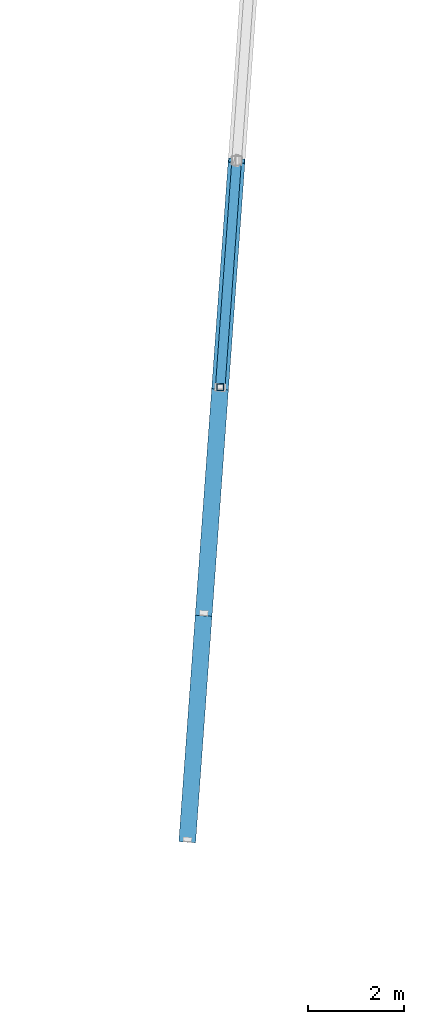
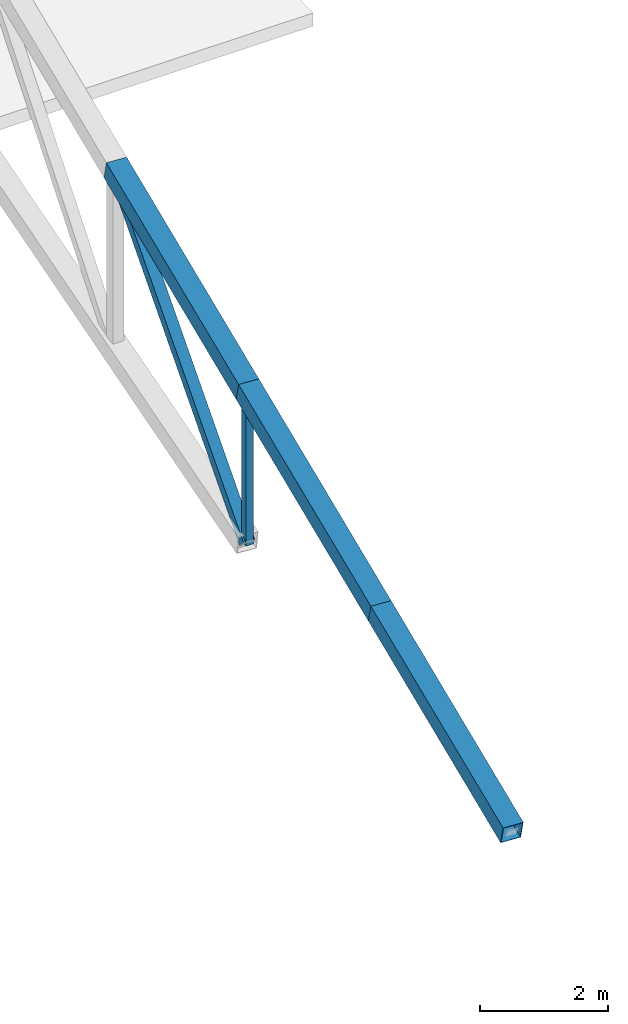
# One storey, part 73 of 188: 5 members.
"""IFC4 building model written with IfcOpenShell, lengths in metres."""

from ifc_helpers import new_model, si_unit, direction, frame, origin, origin_2d, place, context, subcontext, project, spatial, hollow_rectangle, extrude, material, material_profile, profile_set, type_object, element, save


model = new_model("IFC4")

# Units and contexts
model_context = context("Model", 3, precision=1e-05, world=origin(), true_north=direction((0.0, 1.0)))
body_context = subcontext(model_context, "Body", "Model", "MODEL_VIEW")
ifc_project = project(units=[si_unit("LENGTHUNIT", "METRE"), si_unit("AREAUNIT", "SQUARE_METRE"), si_unit("VOLUMEUNIT", "CUBIC_METRE"), si_unit("PLANEANGLEUNIT", "RADIAN"), si_unit("MASSUNIT", "GRAM", prefix="KILO")], contexts=[model_context])

# Site, building, storey
site_placement = place(None, origin())
site = spatial("IfcSite", under=ifc_project, at=site_placement, CompositionType="ELEMENT")
building_placement = place(site_placement, origin())
building = spatial("IfcBuilding", under=site, at=building_placement, Name="Meseta Stadium", CompositionType="ELEMENT")
storey_placement = place(building_placement, frame((0.0, 0.0, 30.0)))
storey = spatial("IfcBuildingStorey", under=building, at=storey_placement, Name="ROOF", CompositionType="ELEMENT", Elevation=30.0)

# Members
ifc_material_1 = material(Name="Steel S355", Category="steel")
ifc_material_profile_1 = material_profile(ifc_material_1, hollow_rectangle(XDim=0.139892578125, YDim=0.139892578125, WallThickness=0.0048828125, at=origin_2d()), Name="SHS 140x140x5")
ifc_profile_set_1 = profile_set([ifc_material_profile_1], Name="Steel S355")
member_type_1 = type_object("IfcMemberType", Name="SHS 140x140x5 post", PredefinedType="POST", material=ifc_profile_set_1)
member_1_placement = place(storey_placement, frame((5.83349609375, 80.120361328125, 0.911865234375), z_axis=(0.0, 0.0, 1.0), x_axis=(1.0, 0.0, 0.0)))
element("IfcMember", 1, at=member_1_placement, inside=storey, type_object=member_type_1, Name="ROOF TRUSS RT-18 post", PredefinedType="POST", context=body_context, shape_type="SweptSolid", body=[
    extrude(hollow_rectangle(XDim=0.139892578125, YDim=0.139892578125, WallThickness=0.0048828125, at=origin_2d()), origin(), (0.0, 0.0, 1.0), 2.9228515625),
])
ifc_material_2 = material(Name="Steel S355", Category="steel")
ifc_material_profile_2 = material_profile(ifc_material_2, hollow_rectangle(XDim=0.199951171875, YDim=0.199951171875, WallThickness=0.008056640625, at=origin_2d()), Name="SHS 200x200x8")
ifc_profile_set_2 = profile_set([ifc_material_profile_2], Name="Steel S355")
member_type_2 = type_object("IfcMemberType", Name="SHS 200x200x8 diagonal", PredefinedType="BRACE", material=ifc_profile_set_2)
member_2_placement = place(storey_placement, frame((5.83349609375, 80.120361328125, 0.911865234375), z_axis=(0.054274181966, 0.748402202042, 0.661020769076), x_axis=(-0.997380746332, 0.072330124054, 0.0)))
element("IfcMember", 2, at=member_2_placement, inside=storey, type_object=member_type_2, Name="ROOF TRUSS RT-18 diagonal", PredefinedType="BRACE", context=body_context, shape_type="SweptSolid", body=[
    extrude(hollow_rectangle(XDim=0.199951171875, YDim=0.199951171875, WallThickness=0.008056640625, at=origin_2d()), origin(), (0.0, 0.0, 1.0), 6.297607421875),
])
ifc_material_3 = material(Name="Steel S355", Category="steel")
ifc_material_profile_3 = material_profile(ifc_material_3, hollow_rectangle(XDim=0.35009765625, YDim=0.35009765625, WallThickness=0.010009765625, at=origin_2d()), Name="SHS 350x350x10")
ifc_profile_set_3 = profile_set([ifc_material_profile_3], Name="Steel S355")
member_type_3 = type_object("IfcMemberType", Name="SHS 350x350x10 top chord", PredefinedType="CHORD", material=ifc_profile_set_3)
member_3_placement = place(storey_placement, frame((5.14990234375, 70.6943359375, 1.3544921875), z_axis=(0.069964968827, 0.964716970167, 0.253822911908), x_axis=(-0.997380476022, 0.072333851348, 0.0)))
element("IfcMember", 3, at=member_3_placement, inside=storey, type_object=member_type_3, Name="ROOF TRUSS RT-18 top chord", PredefinedType="CHORD", context=body_context, shape_type="SweptSolid", body=[
    extrude(hollow_rectangle(XDim=0.35009765625, YDim=0.35009765625, WallThickness=0.010009765625, at=origin_2d()), origin(), (0.0, 0.0, 1.0), 4.88525390625),
])
for number, where, z_axis, x_axis, name in (
    (4, (5.49169921875, 75.4072265625, 2.594482421875), (0.069960708419, 0.964708197168, 0.253857427693), (-0.997380746332, 0.072330124054, 0.0), "ROOF TRUSS RT-18 top chord"),
    (5, (5.83349609375, 80.120361328125, 3.834716796875), (0.069961595853, 0.96472043424, 0.25381067524), (-0.997380746332, 0.072330124054, 0.0), "ROOF TRUSS RT-18 top chord"),
):
    element("IfcMember", number, at=place(storey_placement, frame(where, z_axis=z_axis, x_axis=x_axis)), inside=storey, type_object=member_type_3, Name=name, PredefinedType="CHORD", context=body_context, shape_type="SweptSolid", body=[
        extrude(hollow_rectangle(XDim=0.35009765625, YDim=0.35009765625, WallThickness=0.010009765625, at=origin_2d()), origin(), (0.0, 0.0, 1.0), 4.885498046875),
    ])

save(model, "model.ifc")
